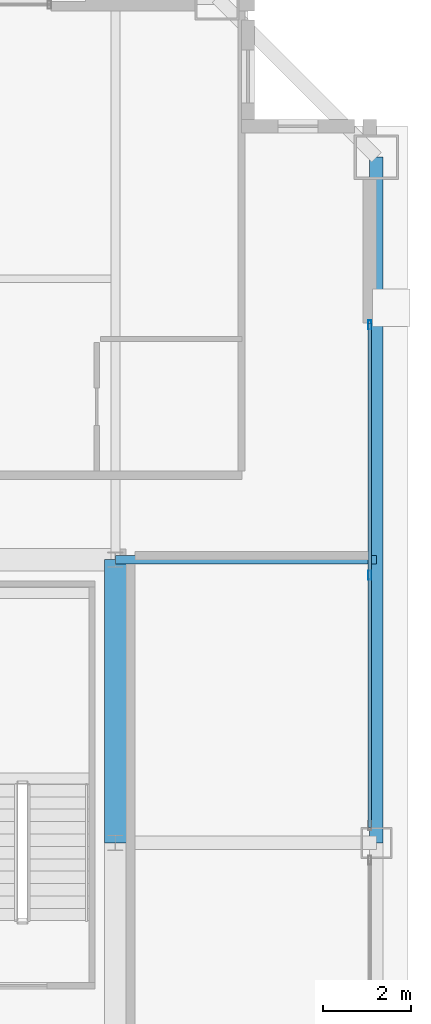
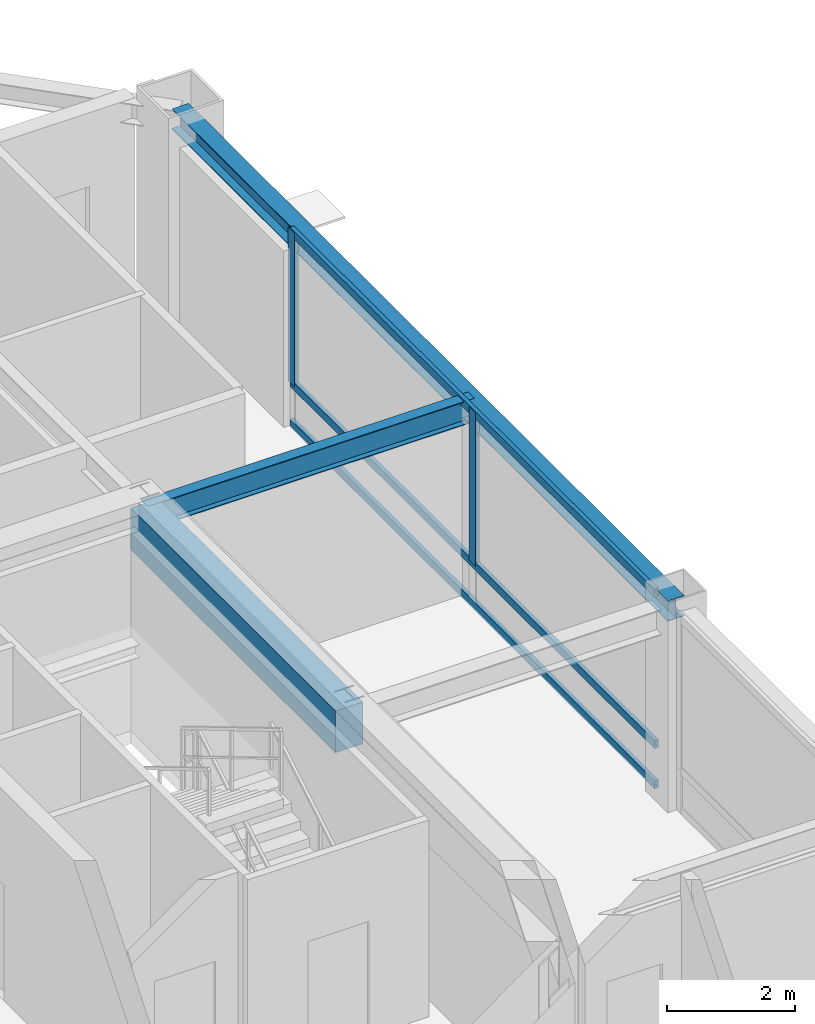
# One storey, part 15 of 34: 5 members, 3 beams, 1 element without a shape of its own.
"""IFC4 building model written with IfcOpenShell, lengths in metres."""

from ifc_helpers import new_model, si_unit, direction, frame, origin, origin_2d, place, context, subcontext, project, spatial, rectangle, hollow_rectangle, i_section, extrude, source, transform, mapped, material, layer, layer_set, material_profile, profile_set, type_object, element, aggregate, save


model = new_model("IFC4")

# Units and contexts
model_context = context("Model", 3, precision=1e-05, world=origin(), true_north=direction((0.0, 1.0)))
body_context = subcontext(model_context, "Body", "Model", "MODEL_VIEW")
ifc_project = project(units=[si_unit("LENGTHUNIT", "METRE"), si_unit("AREAUNIT", "SQUARE_METRE"), si_unit("VOLUMEUNIT", "CUBIC_METRE"), si_unit("PLANEANGLEUNIT", "RADIAN"), si_unit("MASSUNIT", "GRAM", prefix="KILO"), si_unit("THERMODYNAMICTEMPERATUREUNIT", "KELVIN"), si_unit("POWERUNIT", "WATT")], contexts=[model_context])

# Site, building, storey
site_placement = place(None, origin())
site = spatial("IfcSite", under=ifc_project, at=site_placement, CompositionType="ELEMENT")
building_placement = place(site_placement, origin())
building = spatial("IfcBuilding", under=site, at=building_placement, Name="Yuzanri Waterfront Tower", CompositionType="ELEMENT")
storey_placement = place(building_placement, frame((0.0, 0.0, 339.199951171875)))
storey = spatial("IfcBuildingStorey", under=building, at=storey_placement, Name="L91", CompositionType="ELEMENT", Elevation=339.199951171875)

# Beams
ifc_material_1 = material(Name="Concrete C50", Category="concrete")
ifc_material_profile_1 = material_profile(ifc_material_1, rectangle(XDim=0.5, YDim=0.800048828125, at=origin_2d()), Name="RC 500x800")
ifc_profile_set_1 = profile_set([ifc_material_profile_1], Name="Concrete C50")
beam_type_1 = type_object("IfcBeamType", Name="Core Coupling Lintel Concrete C50 500x800", PredefinedType="LINTEL", material=ifc_profile_set_1)
shared_shape_1 = source(origin(), body_context, "Body", "SweptSolid", [
    extrude(rectangle(XDim=0.5, YDim=0.800048828125, at=origin_2d()), origin(), (0.0, 0.0, 1.0), 6.39990234375),
])
beam_1_placement = place(storey_placement, frame((50.199951171875, 25.800048828125, 3.360107421875), z_axis=(0.0, 1.0, 0.0), x_axis=(-1.0, 0.0, 0.0)))
element("IfcBeam", 1, at=beam_1_placement, inside=storey, type_object=beam_type_1, Name="L91 Core Tie Beam CE2", PredefinedType="LINTEL", context=body_context, shape_type="MappedRepresentation", body=[
    mapped(shared_shape_1, transform((0.0, 0.0, 0.0), scale=1.0)),
])
ifc_material_2 = material(Name="Steel Q355B", Category="steel")
ifc_material_profile_2 = material_profile(ifc_material_2, i_section(OverallWidth=0.300048828125, OverallDepth=0.389892578125, WebThickness=0.010009765625, FlangeThickness=0.01611328125, at=origin_2d()), Name="HM 390x300x10x16")
ifc_profile_set_2 = profile_set([ifc_material_profile_2], Name="Steel Q355B")
beam_type_2 = type_object("IfcBeamType", Name="Perimeter Spandrel Q355B HM 390x300", PredefinedType="SPANDREL", material=ifc_profile_set_2)
shared_shape_2 = source(origin(), body_context, "Body", "SweptSolid", [
    extrude(i_section(OverallWidth=0.300048828125, OverallDepth=0.389892578125, WebThickness=0.010009765625, FlangeThickness=0.01611328125, at=origin_2d()), origin(), (0.0, 0.0, 1.0), 15.5),
])
beam_2_placement = place(storey_placement, frame((56.10009765625, 25.800048828125, 3.56494140625), z_axis=(0.0, 1.0, 0.0), x_axis=(-1.0, 0.0, 0.0)))
element("IfcBeam", 2, at=beam_2_placement, inside=storey, type_object=beam_type_2, Name="L91 Perimeter Spandrel E2-E3", PredefinedType="SPANDREL", context=body_context, shape_type="MappedRepresentation", body=[
    mapped(shared_shape_2, transform((0.0, 0.0, 0.0), scale=1.0)),
])
ifc_material_3 = material(Name="Steel Q355B", Category="steel")
ifc_material_profile_3 = material_profile(ifc_material_3, i_section(OverallWidth=0.199951171875, OverallDepth=0.449951171875, WebThickness=0.009033203125, FlangeThickness=0.013916015625, at=origin_2d()), Name="HN 450x200x9x14")
ifc_profile_set_3 = profile_set([ifc_material_profile_3], Name="Steel Q355B")
beam_type_3 = type_object("IfcBeamType", Name="Secondary Floor Beam Q355B HN 450x200", PredefinedType="BEAM", material=ifc_profile_set_3)
shared_shape_3 = source(origin(), body_context, "Body", "SweptSolid", [
    extrude(i_section(OverallWidth=0.199951171875, OverallDepth=0.449951171875, WebThickness=0.009033203125, FlangeThickness=0.013916015625, at=origin_2d()), origin(), (0.0, 0.0, 1.0), 5.900146484375),
])
beam_3_placement = place(storey_placement, frame((50.199951171875, 32.199951171875, 3.53515625), z_axis=(1.0, 0.0, 0.0), x_axis=(0.0, 1.0, 0.0)))
element("IfcBeam", 3, at=beam_3_placement, inside=storey, type_object=beam_type_3, Name="L91 East-North Core Line Beam", PredefinedType="BEAM", context=body_context, shape_type="MappedRepresentation", body=[
    mapped(shared_shape_3, transform((0.0, 0.0, 0.0), scale=1.0)),
])

# Curtain wall, members
ifc_material_4 = material(Name="Anodized Architectural Bronze", Category="metal")
ifc_layer = layer(ifc_material_4, 0.159912109375)
ifc_layer_set = layer_set([ifc_layer], Name="Anodized Architectural Bronze")
curtain_wall_type = type_object("IfcCurtainWallType", Name="Anodized Bronze High-Rise Penthouse High-Wind Unitized Curtain Wall 6900", PredefinedType="NOTDEFINED", material=ifc_layer_set)
curtain_wall_placement = place(storey_placement, origin())
curtain_wall = element("IfcCurtainWall", 4, at=curtain_wall_placement, inside=storey, type_object=curtain_wall_type, Name="L91 Curtain Wall CW-L91-ER", PredefinedType="NOTDEFINED")
ifc_material_5 = material(Name="Anodized Architectural Bronze", Category="metal")
ifc_material_profile_4 = material_profile(ifc_material_5, hollow_rectangle(XDim=0.074951171875, YDim=0.14990234375, WallThickness=0.00390625, at=origin_2d()), Name="CWT 75x150")
ifc_profile_set_4 = profile_set([ifc_material_profile_4], Name="Anodized Architectural Bronze")
member_type_1 = type_object("IfcMemberType", Name="Anodized Bronze Primary Curtain-Wall Transom 75x150", PredefinedType="USERDEFINED", material=ifc_profile_set_4)
shared_shape_4 = source(origin(), body_context, "Body", "SweptSolid", [
    extrude(hollow_rectangle(XDim=0.074951171875, YDim=0.14990234375, WallThickness=0.00390625, at=origin_2d()), origin(), (0.0, 0.0, 1.0), 11.400146484375),
])
member_1_placement = place(storey_placement, frame((55.949951171875, 26.14990234375, 0.050048828125), z_axis=(0.0, 1.0, 0.0), x_axis=(-1.0, 0.0, 0.0)))
member_1 = element("IfcMember", 5, at=member_1_placement, type_object=member_type_1, Name="CW-L91-ER Transom 1", ObjectType="TRANSOM", PredefinedType="USERDEFINED", context=body_context, shape_type="MappedRepresentation", body=[
    mapped(shared_shape_4, transform((0.0, 0.0, 0.0), scale=1.0)),
])
member_2_placement = place(storey_placement, frame((55.949951171875, 26.14990234375, 0.820068359375), z_axis=(0.0, 1.0, 0.0), x_axis=(-1.0, 0.0, 0.0)))
member_2 = element("IfcMember", 6, at=member_2_placement, type_object=member_type_1, Name="CW-L91-ER Transom 2", ObjectType="TRANSOM", PredefinedType="USERDEFINED", context=body_context, shape_type="MappedRepresentation", body=[
    mapped(shared_shape_4, transform((0.0, 0.0, 0.0), scale=1.0)),
])
member_3_placement = place(storey_placement, frame((55.949951171875, 26.14990234375, 3.7099609375), z_axis=(0.0, 1.0, 0.0), x_axis=(-1.0, 0.0, 0.0)))
member_3 = element("IfcMember", 7, at=member_3_placement, type_object=member_type_1, Name="CW-L91-ER Transom 3", ObjectType="TRANSOM", PredefinedType="USERDEFINED", context=body_context, shape_type="MappedRepresentation", body=[
    mapped(shared_shape_4, transform((0.0, 0.0, 0.0), scale=1.0)),
])
ifc_material_6 = material(Name="Anodized Architectural Bronze", Category="metal")
ifc_material_profile_5 = material_profile(ifc_material_6, hollow_rectangle(XDim=0.074951171875, YDim=0.199951171875, WallThickness=0.00390625, at=origin_2d()), Name="CWM 75x200")
ifc_profile_set_5 = profile_set([ifc_material_profile_5], Name="Anodized Architectural Bronze")
member_type_2 = type_object("IfcMemberType", Name="Anodized Bronze Primary Curtain-Wall Mullion 75x200", PredefinedType="MULLION", material=ifc_profile_set_5)
shared_shape_5 = source(origin(), body_context, "Body", "SweptSolid", [
    extrude(hollow_rectangle(XDim=0.074951171875, YDim=0.199951171875, WallThickness=0.00390625, at=origin_2d()), origin(), (0.0, 0.0, 1.0), 2.93798828125),
])
member_4_placement = place(storey_placement, frame((55.949951171875, 31.85009765625, 0.822021484375), z_axis=(0.0, 0.0, 1.0), x_axis=(1.0, 0.0, 0.0)))
member_4 = element("IfcMember", 8, at=member_4_placement, type_object=member_type_2, Name="CW-L91-ER Upper Mullion 01", PredefinedType="MULLION", context=body_context, shape_type="MappedRepresentation", body=[
    mapped(shared_shape_5, transform((0.0, 0.0, 0.0), scale=1.0)),
])
member_5_placement = place(storey_placement, frame((55.949951171875, 37.510009765625, 0.822021484375), z_axis=(0.0, 0.0, 1.0), x_axis=(1.0, 0.0, 0.0)))
member_5 = element("IfcMember", 9, at=member_5_placement, type_object=member_type_2, Name="CW-L91-ER Upper Mullion 02", PredefinedType="MULLION", context=body_context, shape_type="MappedRepresentation", body=[
    mapped(shared_shape_5, transform((0.0, 0.0, 0.0), scale=1.0)),
])
aggregate(curtain_wall, [member_4, member_5, member_1, member_2, member_3])

save(model, "model.ifc")
